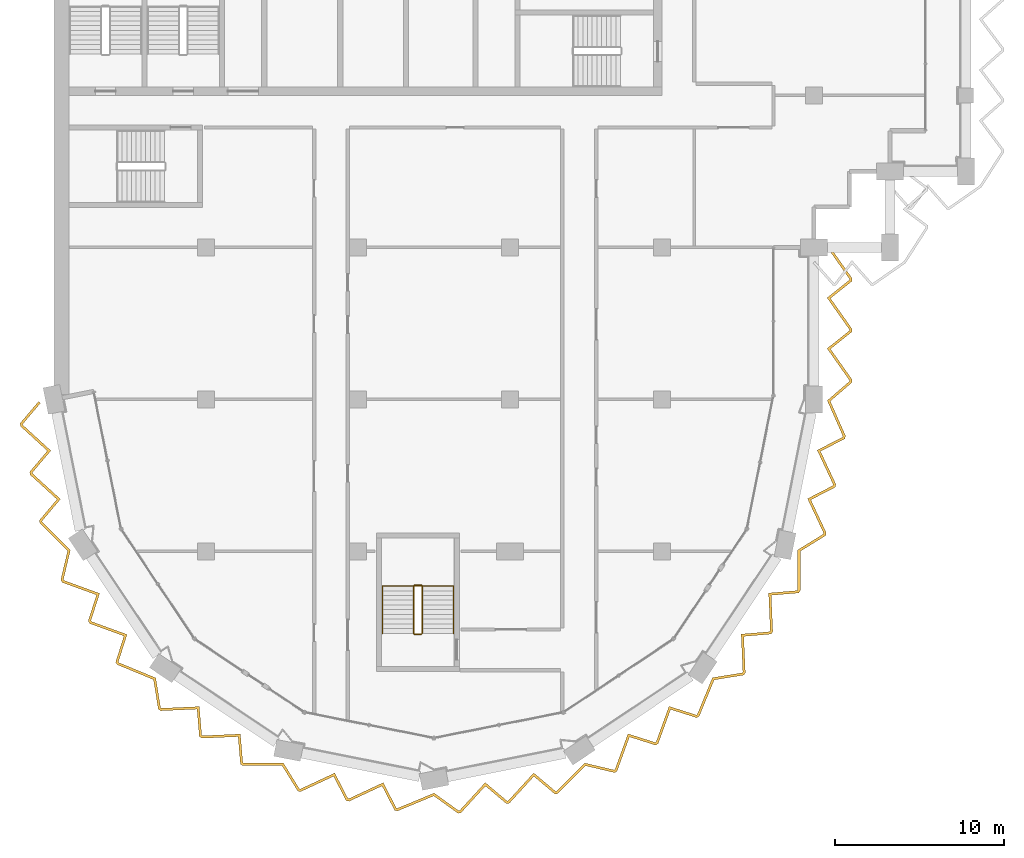
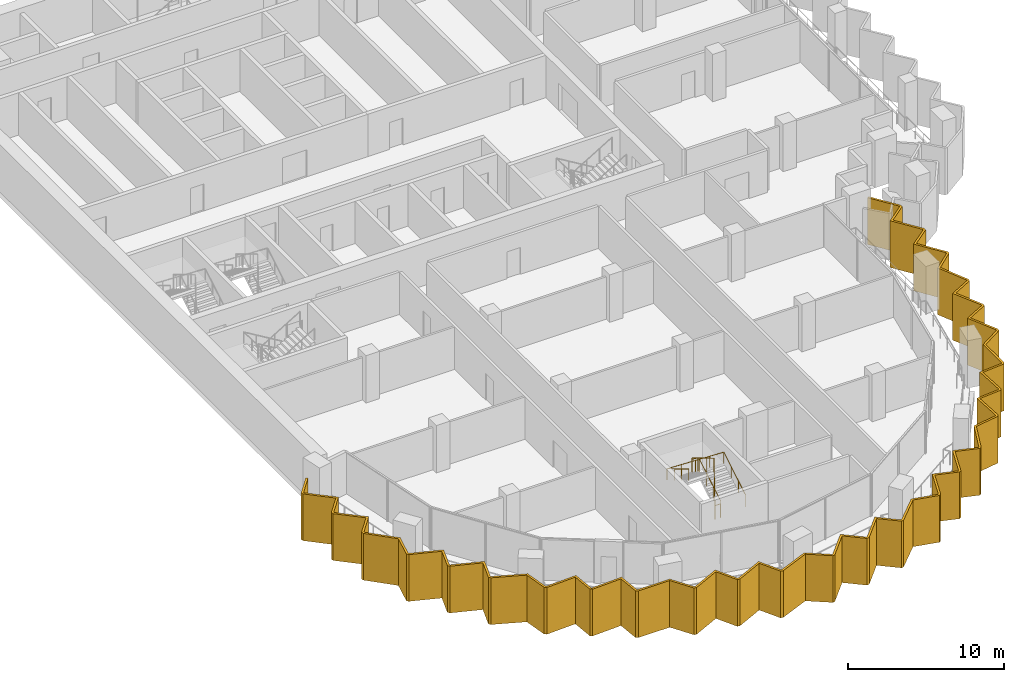
# One storey, part 13 of 16: 2 railings, 1 shading device.
"""IFC4 building model written with IfcOpenShell, lengths in metres."""

import ifcopenshell
import ifcopenshell.guid

model = None  # the IFC model being written
_history = None  # IfcOwnerHistory: only IFC2X3 demands one
_inside = {}  # id of a spatial element -> (the spatial element, [elements in it])
_under = {}  # id of a project, library or spatial element -> (it, [spatial elements below it])
_declared = {}  # id of a project -> (the project, [libraries it declares])
_typed = {}  # id of a type object -> (the type object, [elements of that type])
_made_of = {}  # id of a material, layer set ... -> (it, [elements and type objects made of it])


def new_model(schema):
    """Start an empty IFC model of exactly this schema.

    Asked for "IFC4X3", IfcOpenShell would pick the latest addendum, in which some entities
    have other attributes; the version numbers below select the first issue.
    IFC2X3 requires an IfcOwnerHistory on every rooted entity: one is made here for all.
    """
    global model, _history
    if schema == "IFC4X3":
        model = ifcopenshell.file(schema_version=(4, 3, 0, 0))
    else:
        model = ifcopenshell.file(schema=schema)
    _inside.clear()
    _under.clear()
    _declared.clear()
    _typed.clear()
    _made_of.clear()
    _history = None
    if model.schema == "IFC2X3":
        org = make("IfcOrganization", Name="unknown")
        user = make(
            "IfcPersonAndOrganization",
            ThePerson=make("IfcPerson", FamilyName="unknown"),
            TheOrganization=org,
        )
        app = make(
            "IfcApplication",
            ApplicationDeveloper=org,
            Version="unknown",
            ApplicationFullName="unknown",
            ApplicationIdentifier="unknown",
        )
        _history = make(
            "IfcOwnerHistory",
            OwningUser=user,
            OwningApplication=app,
            ChangeAction="ADDED",
            CreationDate=0,
        )
    return model


def make(cls, **values):
    """One entity of the class cls with the attributes given. An attribute that is None is left unset."""
    return model.create_entity(
        cls, **{name: value for name, value in values.items() if value is not None}
    )


def rooted(cls, **values):
    """An entity with a GlobalId (a new one), such as an element, a storey or a relation."""
    return make(cls, GlobalId=ifcopenshell.guid.new(), OwnerHistory=_history, **values)


def si_unit(unit_type, name, prefix=None):
    """IfcSIUnit, for example si_unit("LENGTHUNIT", "METRE", prefix="MILLI")."""
    return make("IfcSIUnit", UnitType=unit_type, Prefix=prefix, Name=name)


def assignment(units):
    """IfcUnitAssignment: the units of a project."""
    return None if units is None else make("IfcUnitAssignment", Units=units)


def point(xyz):
    """IfcCartesianPoint."""
    return None if xyz is None else make("IfcCartesianPoint", Coordinates=xyz)


def direction(xyz):
    """IfcDirection."""
    return None if xyz is None else make("IfcDirection", DirectionRatios=xyz)


def frame(location, z_axis=None, x_axis=None):
    """IfcAxis2Placement3D, a coordinate frame: its origin and axes. An axis left out is left unset."""
    return make(
        "IfcAxis2Placement3D",
        Location=point(location),
        Axis=direction(z_axis),
        RefDirection=direction(x_axis),
    )


def frame_2d(location, x_axis=None):
    """IfcAxis2Placement2D, a coordinate frame in the plane: its origin and x axis."""
    return make(
        "IfcAxis2Placement2D", Location=point(location), RefDirection=direction(x_axis)
    )


def origin():
    """The frame at (0, 0, 0) with its axes left unset."""
    return frame((0.0, 0.0, 0.0))


def origin_2d():
    """The frame at (0, 0) in the plane with its x axis left unset."""
    return frame_2d((0.0, 0.0))


def place(relative_to, where):
    """IfcLocalPlacement: puts the frame where relative to a parent placement (None: the world)."""
    return make(
        "IfcLocalPlacement", PlacementRelTo=relative_to, RelativePlacement=where
    )


def context(
    kind, dimensions, precision=None, world=None, true_north=None, identifier=None
):
    """IfcGeometricRepresentationContext, for example the 3D "Model" context."""
    return make(
        "IfcGeometricRepresentationContext",
        ContextIdentifier=identifier,
        ContextType=kind,
        CoordinateSpaceDimension=dimensions,
        Precision=precision,
        WorldCoordinateSystem=world,
        TrueNorth=true_north,
    )


def subcontext(parent, identifier, kind, view, scale=None):
    """IfcGeometricRepresentationSubContext, for example "Body" below "Model"."""
    return make(
        "IfcGeometricRepresentationSubContext",
        ContextIdentifier=identifier,
        ContextType=kind,
        ParentContext=parent,
        TargetScale=scale,
        TargetView=view,
    )


def project(units=None, contexts=None):
    """IfcProject with its units and contexts."""
    return rooted(
        "IfcProject",
        Name="project",
        RepresentationContexts=contexts,
        UnitsInContext=assignment(units),
    )


def spatial(cls, under=None, at=None, **own):
    """A site, building, storey or space (cls), placed at a placement, below another one or the project."""
    s = rooted(cls, ObjectPlacement=at, **own)
    if under is not None:
        _under.setdefault(under.id(), (under, []))[1].append(s)
    return s


def polyline(points):
    """IfcPolyline through the points."""
    return make("IfcPolyline", Points=[point(p) for p in points])


def profile(cls, at=None, kind="AREA", **sizes):
    """A parametric profile (cls). Its sizes go by their IFC names, for example OverallWidth=200.0."""
    return make(cls, ProfileType=kind, Position=at, **sizes)


def circle(**sizes):
    """IfcCircleProfileDef."""
    return profile("IfcCircleProfileDef", **sizes)


def outline(outer, holes=None, kind="AREA"):
    """IfcArbitraryClosedProfileDef: a profile drawn as a closed curve; with holes, ...WithVoids."""
    if holes is None:
        return make("IfcArbitraryClosedProfileDef", ProfileType=kind, OuterCurve=outer)
    return make(
        "IfcArbitraryProfileDefWithVoids",
        ProfileType=kind,
        OuterCurve=outer,
        InnerCurves=holes,
    )


def extrude(swept, where, along, depth):
    """IfcExtrudedAreaSolid: the profile swept, set in the frame where, extruded along a direction by depth."""
    return make(
        "IfcExtrudedAreaSolid",
        SweptArea=swept,
        Position=where,
        ExtrudedDirection=direction(along),
        Depth=depth,
    )


def shape(context_of_items, identifier, shape_type, items):
    """IfcShapeRepresentation: the items that make up one representation, for example the "Body"."""
    return make(
        "IfcShapeRepresentation",
        ContextOfItems=context_of_items,
        RepresentationIdentifier=identifier,
        RepresentationType=shape_type,
        Items=items,
    )


def material(Name=None, Category=None):
    """IfcMaterial."""
    return make("IfcMaterial", Name=Name, Category=Category)


def layer(
    of_material, thickness, ventilated=None, Name=None, Category=None, Priority=None
):
    """IfcMaterialLayer: one layer of a wall or slab, of a material (None: an air gap)."""
    return make(
        "IfcMaterialLayer",
        Material=of_material,
        LayerThickness=thickness,
        IsVentilated=ventilated,
        Name=Name,
        Category=Category,
        Priority=Priority,
    )


def layer_set(layers, Name=None):
    """IfcMaterialLayerSet."""
    return make("IfcMaterialLayerSet", MaterialLayers=layers, LayerSetName=Name)


def made_of(thing, what):
    """Note that an element or type object is made of a material, layer set ...; save() writes the relation."""
    if what is not None:
        _made_of.setdefault(what.id(), (what, []))[1].append(thing)
    return thing


def type_object(cls, material=None, **own):
    """A type object (cls), such as IfcWallType, which elements share."""
    return made_of(rooted(cls, **own), material)


def element(
    cls,
    number,
    at=None,
    inside=None,
    cuts=None,
    type_object=None,
    material=None,
    context=None,
    identifier="Body",
    shape_type=None,
    held_by="IfcProductDefinitionShape",
    body=None,
    shapes=None,
    **own,
):
    """One element of the class cls, such as IfcWall. Its Tag is "e" and its number.

    at: its placement. inside: the storey or other place that contains it. cuts: it is an
    opening in that element (IfcRelVoidsElement). A single representation is given by context,
    identifier, shape_type and body (its items); several are given by shapes. held_by: the class
    of the entity that holds the representations. save() writes the other relations.
    """
    e = rooted(cls, Tag="e%d" % number, ObjectPlacement=at, **own)
    if body is not None:
        shapes = [shape(context, identifier, shape_type, body)]
    if shapes is not None:
        e.Representation = make(held_by, Representations=shapes)
    if inside is not None:
        _inside.setdefault(inside.id(), (inside, []))[1].append(e)
    if cuts is not None:
        rooted(
            "IfcRelVoidsElement", RelatingBuildingElement=cuts, RelatedOpeningElement=e
        )
    if type_object is not None:
        _typed.setdefault(type_object.id(), (type_object, []))[1].append(e)
    return made_of(e, material)


def aggregate(whole, parts):
    """IfcRelAggregates: a whole, such as a stair, and the parts it consists of."""
    return rooted("IfcRelAggregates", RelatingObject=whole, RelatedObjects=parts)


def save(model, path):
    """Write the relations noted so far, then the file.

    IfcRelAggregates (storeys below a building ...), IfcRelContainedInSpatialStructure (elements
    in a storey), IfcRelDefinesByType, IfcRelAssociatesMaterial and IfcRelDeclares: one each for
    every whole, place, type object, material and project.
    """
    for whole, parts in _under.values():
        aggregate(whole, parts)
    for where, things in _inside.values():
        rooted(
            "IfcRelContainedInSpatialStructure",
            RelatedElements=things,
            RelatingStructure=where,
        )
    for kind, things in _typed.values():
        rooted("IfcRelDefinesByType", RelatedObjects=things, RelatingType=kind)
    for what, things in _made_of.values():
        rooted("IfcRelAssociatesMaterial", RelatedObjects=things, RelatingMaterial=what)
    for by, libraries in _declared.values():
        rooted("IfcRelDeclares", RelatingContext=by, RelatedDefinitions=libraries)
    model.write(path)


model = new_model("IFC4")

# Units and contexts
model_context = context("Model", 3, precision=1e-05, world=origin(), true_north=direction((0.0, 1.0)))
body_context = subcontext(model_context, "Body", "Model", "MODEL_VIEW")
ifc_project = project(units=[si_unit("LENGTHUNIT", "METRE"), si_unit("AREAUNIT", "SQUARE_METRE"), si_unit("VOLUMEUNIT", "CUBIC_METRE"), si_unit("PLANEANGLEUNIT", "RADIAN"), si_unit("MASSUNIT", "GRAM", prefix="KILO")], contexts=[model_context])

# Site, building, storey
site_placement = place(None, origin())
site = spatial("IfcSite", under=ifc_project, at=site_placement, CompositionType="ELEMENT")
building_placement = place(site_placement, origin())
building = spatial("IfcBuilding", under=site, at=building_placement, Name="Hunhe Ridgeline Campus", CompositionType="ELEMENT")
storey_placement = place(building_placement, frame((0.0, 0.0, 246.60009765625)))
storey = spatial("IfcBuildingStorey", under=building, at=storey_placement, Name="L63", CompositionType="ELEMENT", Elevation=246.60009765625)

# Shading device
ifc_material_1 = material(Name="Concrete C50", Category="concrete")
ifc_layer = layer(ifc_material_1, 0.14990234375)
ifc_layer_set = layer_set([ifc_layer], Name="Sawtooth concrete fin 150 Concrete C50")
shading_device_type = type_object("IfcShadingDeviceType", Name="Sawtooth concrete fin 150 Concrete C50", PredefinedType="USERDEFINED", material=ifc_layer_set)
shading_device_placement = place(storey_placement, frame((0.0, 0.0, -0.9501953125)))
element("IfcShadingDevice", 1, at=shading_device_placement, inside=storey, type_object=shading_device_type, Name="Concrete fin screen 1", ObjectType="FIN", PredefinedType="USERDEFINED", context=body_context, shape_type="SweptSolid", body=[
    extrude(outline(polyline([(-0.80078125, 44.781005859375), (-0.91552734375, 44.877685546875), (-2.011474609375, 43.57958984375), (-1.976318359375, 43.40234375), (-0.39111328125, 41.952392578125), (-1.440673828125, 40.70947265625), (-1.4052734375, 40.5322265625), (0.179931640625, 39.082275390625), (-0.86962890625, 37.83935546875), (-0.834716796875, 37.663818359375), (0.805908203125, 36.024658203125), (0.39990234375, 34.3046875), (0.498291015625, 34.1572265625), (2.517578125, 33.42431640625), (2.023681640625, 31.874267578125), (2.1240234375, 31.72412109375), (4.143310546875, 30.9912109375), (3.6494140625, 29.441162109375), (3.748779296875, 29.29248046875), (5.891845703125, 28.406005859375), (6.175048828125, 26.661376953125), (6.322509765625, 26.56298828125), (8.468505859375, 26.65869140625), (8.605224609375, 25.03759765625), (8.755615234375, 24.93701171875), (10.901611328125, 25.03271484375), (11.03857421875, 23.41162109375), (11.187255859375, 23.312255859375), (13.50634765625, 23.3134765625), (14.435546875, 21.81005859375), (14.609375, 21.775390625), (16.555419921875, 22.68505859375), (17.30224609375, 21.23974609375), (17.4794921875, 21.20458984375), (19.425537109375, 22.1142578125), (20.17236328125, 20.6689453125), (20.347900390625, 20.634033203125), (22.489990234375, 21.5224609375), (23.923828125, 20.4892578125), (24.09765625, 20.523681640625), (25.547607421875, 22.10888671875), (26.79052734375, 21.059326171875), (26.9677734375, 21.0947265625), (28.417724609375, 22.679931640625), (29.66064453125, 21.63037109375), (29.836181640625, 21.665283203125), (31.475341796875, 23.305908203125), (33.1953125, 22.89990234375), (33.3427734375, 22.998291015625), (34.07568359375, 25.017578125), (35.625732421875, 24.523681640625), (35.77587890625, 24.6240234375), (36.5087890625, 26.643310546875), (38.058837890625, 26.1494140625), (38.20751953125, 26.248779296875), (39.093994140625, 28.391845703125), (40.838623046875, 28.675048828125), (40.93701171875, 28.822509765625), (40.84130859375, 30.968505859375), (42.46240234375, 31.105224609375), (42.56298828125, 31.255615234375), (42.46728515625, 33.401611328125), (44.08837890625, 33.53857421875), (44.187744140625, 33.687255859375), (44.1865234375, 36.00634765625), (45.68994140625, 36.935546875), (45.724609375, 37.109375), (44.81494140625, 39.055419921875), (46.26025390625, 39.80224609375), (46.29541015625, 39.9794921875), (45.3857421875, 41.925537109375), (46.8310546875, 42.67236328125), (46.8662109375, 42.8486328125), (45.966064453125, 44.893310546875), (47.25, 46.00244140625), (47.25, 46.1806640625), (45.97705078125, 47.9853515625), (47.25, 49.000732421875), (47.25, 49.1806640625), (45.97705078125, 50.9853515625), (47.25, 52.000732421875), (47.25, 52.1806640625), (45.936279296875, 54.043212890625), (45.813720703125, 53.956787109375), (47.10009765625, 52.133056640625), (47.10009765625, 52.072998046875), (45.77294921875, 51.0146484375), (47.10009765625, 49.133056640625), (47.10009765625, 49.072998046875), (45.77294921875, 48.0146484375), (47.10009765625, 46.133056640625), (47.10009765625, 46.0712890625), (45.783935546875, 44.934326171875), (46.709716796875, 42.83154296875), (46.697998046875, 42.7724609375), (45.188720703125, 41.99267578125), (46.138671875, 39.96044921875), (46.127197265625, 39.90234375), (44.617919921875, 39.12255859375), (45.56787109375, 37.09033203125), (45.5556640625, 37.02880859375), (44.03662109375, 36.090087890625), (44.03759765625, 33.732666015625), (44.003662109375, 33.681884765625), (42.310791015625, 33.5390625), (42.410888671875, 31.298095703125), (42.3779296875, 31.248779296875), (40.68505859375, 31.105712890625), (40.78515625, 28.86474609375), (40.750244140625, 28.812744140625), (38.987548828125, 28.526611328125), (38.08642578125, 26.348388671875), (38.03564453125, 26.314208984375), (36.4169921875, 26.830078125), (35.651611328125, 24.721435546875), (35.602294921875, 24.6884765625), (33.98388671875, 25.204345703125), (33.218505859375, 23.095703125), (33.166259765625, 23.060791015625), (31.42822265625, 23.47119140625), (29.76220703125, 21.803466796875), (29.702392578125, 21.79150390625), (28.404296875, 22.887451171875), (26.890380859375, 21.232177734375), (26.832275390625, 21.220458984375), (25.5341796875, 22.31640625), (24.020263671875, 20.6611328125), (23.958740234375, 20.64892578125), (22.510009765625, 21.693115234375), (20.33251953125, 20.7900390625), (20.2724609375, 20.802001953125), (19.49267578125, 22.311279296875), (17.46044921875, 21.361328125), (17.40234375, 21.372802734375), (16.62255859375, 22.882080078125), (14.59033203125, 21.93212890625), (14.52880859375, 21.9443359375), (13.590087890625, 23.46337890625), (11.232666015625, 23.46240234375), (11.181884765625, 23.496337890625), (11.0390625, 25.189208984375), (8.798095703125, 25.089111328125), (8.748779296875, 25.1220703125), (8.605712890625, 26.81494140625), (6.36474609375, 26.71484375), (6.312744140625, 26.749755859375), (6.026611328125, 28.512451171875), (3.848388671875, 29.41357421875), (3.814208984375, 29.46435546875), (4.330078125, 31.0830078125), (2.221435546875, 31.848388671875), (2.1884765625, 31.897705078125), (2.704345703125, 33.51611328125), (0.595703125, 34.281494140625), (0.560791015625, 34.333740234375), (0.97119140625, 36.07177734375), (-0.696533203125, 37.73779296875), (-0.70849609375, 37.797607421875), (0.387451171875, 39.095703125), (-1.267822265625, 40.609619140625), (-1.279541015625, 40.667724609375), (-0.18359375, 41.9658203125), (-1.8388671875, 43.479736328125), (-1.850341796875, 43.5380859375), (-0.80078125, 44.781005859375)])), origin(), (0.0, 0.0, 1.0), 3.650146484375),
])

# Railings
ifc_material_2 = material(Name="Stainless steel balustrade", Category="steel")
railing_type_1 = type_object("IfcRailingType", Name="Stair guard 1100 stainless", PredefinedType="GUARDRAIL", material=ifc_material_2)
railing_1_placement = place(storey_placement, frame((21.800048828125, 31.14990234375, 0.16796875)))
element("IfcRailing", 2, at=railing_1_placement, inside=storey, type_object=railing_type_1, Name="L63 stair W3 guard", PredefinedType="GUARDRAIL", context=body_context, shape_type="SweptSolid", body=[
    extrude(circle(Radius=0.02392578125, at=origin_2d()), frame((0.0, 0.0, 1.076171875), z_axis=(0.0, 0.857242210791, 0.514913383045), x_axis=(-1.0, 0.0, 0.0)), (0.0, 0.0, 1.0), 3.266357421875),
    extrude(circle(Radius=0.02392578125, at=origin_2d()), frame((0.0, 2.800048828125, 2.7578125), z_axis=(-0.707106781187, 0.707106781187, 0.0), x_axis=(-0.707106781187, -0.707106781187, 0.0)), (0.0, 0.0, 1.0), 0.07080078125),
    extrude(circle(Radius=0.02392578125, at=origin_2d()), frame((-0.050048828125, 2.85009765625, 2.7578125), z_axis=(-1.0, 0.0, 0.0), x_axis=(0.0, -1.0, 0.0)), (0.0, 0.0, 1.0), 0.39990234375),
    extrude(circle(Radius=0.02392578125, at=origin_2d()), frame((-0.449951171875, 2.85009765625, 2.7578125), z_axis=(-0.274243871929, -0.274243871929, 0.92172696468), x_axis=(0.707106781187, -0.707106781187, 0.0)), (0.0, 0.0, 1.0), 0.1826171875),
    extrude(circle(Radius=0.02392578125, at=origin_2d()), frame((-0.5, 2.800048828125, 2.92626953125), z_axis=(0.0, -0.857242210791, 0.514913383045), x_axis=(1.0, 0.0, 0.0)), (0.0, 0.0, 1.0), 3.266357421875),
    extrude(circle(Radius=0.02392578125, at=origin_2d()), frame((-0.5, 0.0, 4.60791015625), z_axis=(0.013524426427, -0.013458453615, -0.999817963389), x_axis=(0.705375805398, 0.708833529934, 0.0)), (0.0, 0.0, 1.0), 3.70068359375),
    extrude(circle(Radius=0.02392578125, at=origin_2d()), frame((-0.449951171875, -0.0498046875, 0.908203125), z_axis=(1.0, 0.0, 0.0), x_axis=(0.0, 1.0, 0.0)), (0.0, 0.0, 1.0), 0.39990234375),
    extrude(circle(Radius=0.02099609375, at=origin_2d()), origin(), (0.0, 0.0, 1.0), 1.052001953125),
    extrude(circle(Radius=0.02099609375, at=origin_2d()), frame((0.0, 0.933349609375, 0.560546875)), (0.0, 0.0, 1.0), 1.052001953125),
    extrude(circle(Radius=0.02099609375, at=origin_2d()), frame((0.0, 1.86669921875, 1.121337890625)), (0.0, 0.0, 1.0), 1.052001953125),
    extrude(circle(Radius=0.02099609375, at=origin_2d()), frame((0.0, 2.800048828125, 1.681884765625)), (0.0, 0.0, 1.0), 1.052001953125),
    extrude(circle(Radius=0.02099609375, at=origin_2d()), frame((-0.050048828125, 2.85009765625, 1.681884765625)), (0.0, 0.0, 1.0), 1.052001953125),
    extrude(circle(Radius=0.02099609375, at=origin_2d()), frame((-0.449951171875, 2.85009765625, 1.681884765625)), (0.0, 0.0, 1.0), 1.052001953125),
    extrude(circle(Radius=0.02099609375, at=origin_2d()), frame((-0.5, 2.800048828125, 1.85009765625)), (0.0, 0.0, 1.0), 1.052001953125),
    extrude(circle(Radius=0.02099609375, at=origin_2d()), frame((-0.5, 1.86669921875, 2.41064453125)), (0.0, 0.0, 1.0), 1.052001953125),
    extrude(circle(Radius=0.02099609375, at=origin_2d()), frame((-0.5, 0.933349609375, 2.971435546875)), (0.0, 0.0, 1.0), 1.052001953125),
    extrude(circle(Radius=0.02099609375, at=origin_2d()), frame((-0.5, 0.0, 3.531982421875)), (0.0, 0.0, 1.0), 1.052001953125),
    extrude(circle(Radius=0.02099609375, at=origin_2d()), frame((-0.487548828125, -0.012451171875, 2.60693359375)), (0.0, 0.0, 1.0), 1.052001953125),
    extrude(circle(Radius=0.02099609375, at=origin_2d()), frame((-0.47509765625, -0.02490234375, 1.68212890625)), (0.0, 0.0, 1.0), 1.052001953125),
    extrude(circle(Radius=0.02099609375, at=origin_2d()), frame((-0.46240234375, -0.037353515625, 0.757080078125)), (0.0, 0.0, 1.0), 1.052001953125),
    extrude(circle(Radius=0.02099609375, at=origin_2d()), frame((-0.449951171875, -0.0498046875, -0.16796875)), (0.0, 0.0, 1.0), 1.052001953125),
    extrude(circle(Radius=0.02099609375, at=origin_2d()), frame((-0.050048828125, -0.0498046875, -0.16796875)), (0.0, 0.0, 1.0), 1.052001953125),
])
ifc_material_3 = material(Name="Stainless steel handrail", Category="steel")
railing_type_2 = type_object("IfcRailingType", Name="Stair handrail 900 stainless", PredefinedType="HANDRAIL", material=ifc_material_3)
railing_2_placement = place(storey_placement, frame((23.64990234375, 31.14990234375, 0.16796875)))
element("IfcRailing", 3, at=railing_2_placement, inside=storey, type_object=railing_type_2, Name="L63 stair W3 handrail", PredefinedType="HANDRAIL", context=body_context, shape_type="SweptSolid", body=[
    extrude(circle(Radius=0.02392578125, at=origin_2d()), frame((0.0, 0.0, 0.8759765625), z_axis=(0.0, 0.857242210791, 0.514913383045), x_axis=(-1.0, 0.0, 0.0)), (0.0, 0.0, 1.0), 3.266357421875),
    extrude(circle(Radius=0.02392578125, at=origin_2d()), frame((0.0, 2.800048828125, 2.5576171875), z_axis=(-0.999198916169, 0.0, 0.040019069537), x_axis=(0.0, -1.0, 0.0)), (0.0, 0.0, 1.0), 4.203369140625),
    extrude(circle(Radius=0.02392578125, at=origin_2d()), frame((-4.199951171875, 2.800048828125, 2.72607421875), z_axis=(0.0, -0.857242210791, 0.514913383045), x_axis=(1.0, 0.0, 0.0)), (0.0, 0.0, 1.0), 3.266357421875),
    extrude(circle(Radius=0.02099609375, at=origin_2d()), origin(), (0.0, 0.0, 1.0), 0.851806640625),
    extrude(circle(Radius=0.02099609375, at=origin_2d()), frame((0.0, 0.933349609375, 0.560546875)), (0.0, 0.0, 1.0), 0.851806640625),
    extrude(circle(Radius=0.02099609375, at=origin_2d()), frame((0.0, 1.86669921875, 1.121337890625)), (0.0, 0.0, 1.0), 0.851806640625),
    extrude(circle(Radius=0.02099609375, at=origin_2d()), frame((0.0, 2.800048828125, 1.681884765625)), (0.0, 0.0, 1.0), 0.851806640625),
    extrude(circle(Radius=0.02099609375, at=origin_2d()), frame((-1.050048828125, 2.800048828125, 1.723876953125)), (0.0, 0.0, 1.0), 0.851806640625),
    extrude(circle(Radius=0.02099609375, at=origin_2d()), frame((-2.10009765625, 2.800048828125, 1.76611328125)), (0.0, 0.0, 1.0), 0.851806640625),
    extrude(circle(Radius=0.02099609375, at=origin_2d()), frame((-3.14990234375, 2.800048828125, 1.80810546875)), (0.0, 0.0, 1.0), 0.851806640625),
    extrude(circle(Radius=0.02099609375, at=origin_2d()), frame((-4.199951171875, 2.800048828125, 1.85009765625)), (0.0, 0.0, 1.0), 0.851806640625),
    extrude(circle(Radius=0.02099609375, at=origin_2d()), frame((-4.199951171875, 1.86669921875, 2.41064453125)), (0.0, 0.0, 1.0), 0.851806640625),
    extrude(circle(Radius=0.02099609375, at=origin_2d()), frame((-4.199951171875, 0.933349609375, 2.971435546875)), (0.0, 0.0, 1.0), 0.851806640625),
    extrude(circle(Radius=0.02099609375, at=origin_2d()), frame((-4.199951171875, 0.0, 3.531982421875)), (0.0, 0.0, 1.0), 0.851806640625),
])

save(model, "model.ifc")
